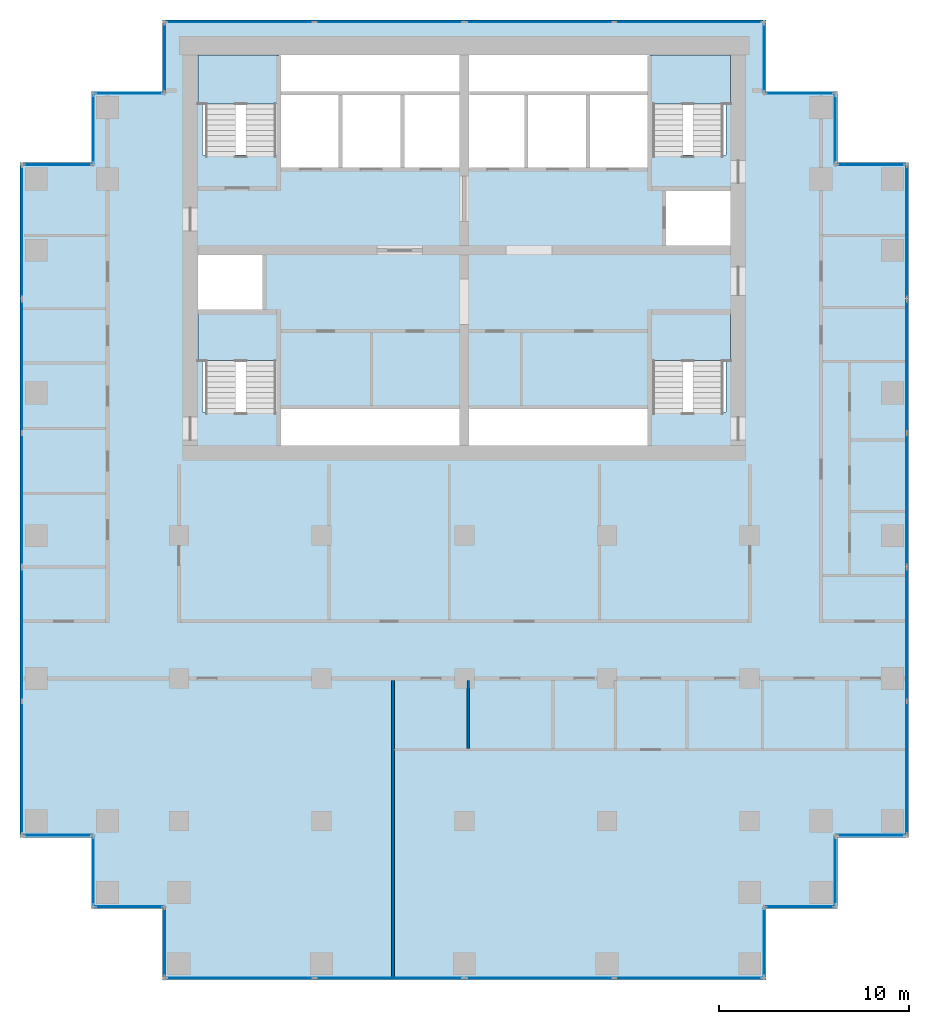
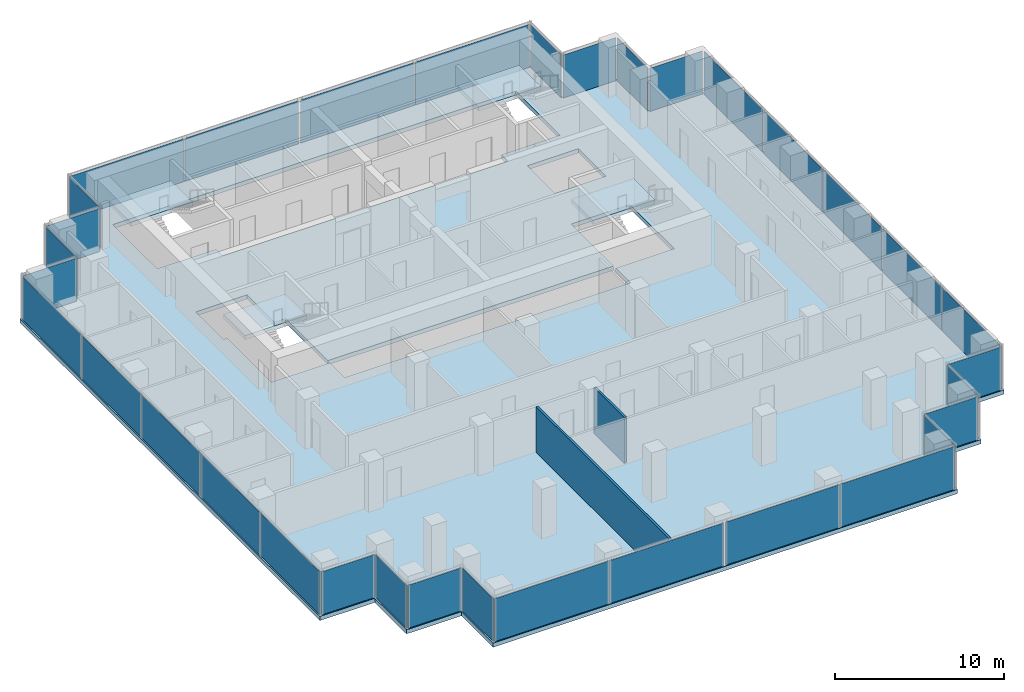
# One storey, part 6 of 10: 34 plates, 5 slabs, 2 walls, 30 elements without a shape of their own.
"""IFC4 building model written with IfcOpenShell, lengths in metres."""

from ifc_helpers import new_model, si_unit, direction, frame, frame_2d, origin, origin_2d, place, context, subcontext, project, spatial, polyline, rectangle, outline, extrude, material, layer, layer_set, type_object, element, aggregate, save


model = new_model("IFC4")

# Units and contexts
model_context = context("Model", 3, precision=1e-05, world=origin(), true_north=direction((0.0, 1.0)))
body_context = subcontext(model_context, "Body", "Model", "MODEL_VIEW")
ifc_project = project(units=[si_unit("LENGTHUNIT", "METRE"), si_unit("AREAUNIT", "SQUARE_METRE"), si_unit("VOLUMEUNIT", "CUBIC_METRE"), si_unit("PLANEANGLEUNIT", "RADIAN"), si_unit("MASSUNIT", "GRAM", prefix="KILO")], contexts=[model_context])

# Site, building, storey
site_placement = place(None, origin())
site = spatial("IfcSite", under=ifc_project, at=site_placement, CompositionType="ELEMENT")
building_placement = place(site_placement, origin())
building = spatial("IfcBuilding", under=site, at=building_placement, Name="Pilkhan Gate Tower", CompositionType="ELEMENT")
storey_placement = place(building_placement, frame((0.0, 0.0, 158.5)))
storey = spatial("IfcBuildingStorey", under=building, at=storey_placement, Name="L40", CompositionType="ELEMENT", Elevation=158.5)

# Slab
ifc_material_1 = material(Name="Concrete C40/50", Category="concrete")
ifc_layer_1 = layer(ifc_material_1, 0.300048828125)
ifc_layer_set_1 = layer_set([ifc_layer_1], Name="Flat plate slab FP300")
slab_type_1 = type_object("IfcSlabType", Name="Flat plate slab FP300", PredefinedType="FLOOR", material=ifc_layer_set_1)
slab_1_placement = place(storey_placement, frame((0.0, 0.0, -0.300048828125)))
element("IfcSlab", 1, at=slab_1_placement, inside=storey, type_object=slab_type_1, Name="Floor slab L40", PredefinedType="FLOOR", context=body_context, shape_type="SweptSolid", body=[
    extrude(outline(polyline([(94.60009765625, 47.89990234375), (90.85009765625, 47.89990234375), (90.85009765625, 44.14990234375), (59.14990234375, 44.14990234375), (59.14990234375, 47.89990234375), (55.39990234375, 47.89990234375), (55.39990234375, 51.64990234375), (51.64990234375, 51.64990234375), (51.64990234375, 87.10009765625), (55.39990234375, 87.10009765625), (55.39990234375, 90.85009765625), (59.14990234375, 90.85009765625), (59.14990234375, 94.60009765625), (90.85009765625, 94.60009765625), (90.85009765625, 90.85009765625), (94.60009765625, 90.85009765625), (94.60009765625, 87.10009765625), (98.35009765625, 87.10009765625), (98.35009765625, 51.64990234375), (94.60009765625, 51.64990234375), (94.60009765625, 47.89990234375)]), holes=[polyline([(75.0, 72.25), (84.75, 72.25), (84.75, 74.0), (88.75, 74.0), (88.75, 79.25), (84.75, 79.25), (84.75, 74.25), (75.0, 74.25), (65.25, 74.25), (65.25, 79.25), (64.5, 79.25), (64.5, 82.5), (61.25, 82.5), (61.0, 82.5), (61.0, 79.25), (61.25, 79.25), (61.25, 74.0), (65.25, 74.0), (65.25, 72.25), (75.0, 72.25)]), polyline([(68.5, 86.75), (71.75, 86.75), (75.0, 86.75), (78.25, 86.75), (81.5, 86.75), (84.75, 86.75), (84.75, 87.5), (88.75, 87.5), (88.75, 92.75), (84.75, 92.75), (75.0, 92.75), (65.25, 92.75), (61.25, 92.75), (61.25, 87.5), (65.25, 87.5), (65.25, 86.75), (68.5, 86.75)]), polyline([(85.5, 85.75), (85.5, 82.5), (88.75, 82.5), (89.0, 82.5), (89.0, 85.75), (88.75, 85.75), (85.5, 85.75)])]), origin(), (0.0, 0.0, 1.0), 0.300048828125),
])

# Curtain wall, plates
ifc_material_2 = material(Name="Pale anodised aluminium, clear low-iron double glazing", Category="aluminium")
curtain_wall_type = type_object("IfcCurtainWallType", Name="Office unitised curtain wall CW-O1", PredefinedType="USERDEFINED", material=ifc_material_2)
curtain_wall_1_placement = place(storey_placement, origin())
curtain_wall_1 = element("IfcCurtainWall", 2, at=curtain_wall_1_placement, inside=storey, type_object=curtain_wall_type, Name="Office unitised curtain wall CW-O1 L40 E", ObjectType="UNITISED CURTAIN WALL", PredefinedType="USERDEFINED")
ifc_material_3 = material(Name="Clear low-iron double glazing", Category="glass")
ifc_layer_2 = layer(ifc_material_3, 0.0400390625)
ifc_layer_set_2 = layer_set([ifc_layer_2], Name="Glass panel CW-O1 40")
plate_type = type_object("IfcPlateType", Name="Glass panel CW-O1 40", PredefinedType="CURTAIN_PANEL", material=ifc_layer_set_2)
plate_1_placement = place(storey_placement, frame((98.25, 55.29248046875, 0.0), z_axis=(0.0, 0.0, 1.0), x_axis=(0.0, 1.0, 0.0)))
plate_1 = element("IfcPlate", 3, at=plate_1_placement, type_object=plate_type, Name="CW-O1 panel 1", PredefinedType="CURTAIN_PANEL", context=body_context, shape_type="SweptSolid", body=[
    extrude(rectangle(XDim=6.945068359375, YDim=0.0400390625, at=origin_2d()), origin(), (0.0, 0.0, 1.0), 3.10009765625),
])
plate_2_placement = place(storey_placement, frame((98.25, 62.3076171875, 0.0), z_axis=(0.0, 0.0, 1.0), x_axis=(0.0, 1.0, 0.0)))
plate_2 = element("IfcPlate", 4, at=plate_2_placement, type_object=plate_type, Name="CW-O1 panel 2", PredefinedType="CURTAIN_PANEL", context=body_context, shape_type="SweptSolid", body=[
    extrude(rectangle(XDim=6.945068359375, YDim=0.0400390625, at=origin_2d()), origin(), (0.0, 0.0, 1.0), 3.10009765625),
])
aggregate(curtain_wall_1, [plate_1, plate_2])

curtain_wall_2_placement = place(storey_placement, origin())
curtain_wall_2 = element("IfcCurtainWall", 5, at=curtain_wall_2_placement, inside=storey, type_object=curtain_wall_type, Name="Office unitised curtain wall CW-O1 L40 E", ObjectType="UNITISED CURTAIN WALL", PredefinedType="USERDEFINED")
plate_3_placement = place(storey_placement, frame((98.25, 69.392578125, 0.0), z_axis=(0.0, 0.0, 1.0), x_axis=(0.0, 1.0, 0.0)))
plate_3 = element("IfcPlate", 6, at=plate_3_placement, type_object=plate_type, Name="CW-O1 panel 1", PredefinedType="CURTAIN_PANEL", context=body_context, shape_type="SweptSolid", body=[
    extrude(rectangle(XDim=6.945068359375, YDim=0.0400390625, at=origin_2d()), origin(), (0.0, 0.0, 1.0), 3.10009765625),
])
plate_4_placement = place(storey_placement, frame((98.25, 76.407470703125, 0.0), z_axis=(0.0, 0.0, 1.0), x_axis=(0.0, 1.0, 0.0)))
plate_4 = element("IfcPlate", 7, at=plate_4_placement, type_object=plate_type, Name="CW-O1 panel 2", PredefinedType="CURTAIN_PANEL", context=body_context, shape_type="SweptSolid", body=[
    extrude(rectangle(XDim=6.945068359375, YDim=0.0400390625, at=origin_2d()), origin(), (0.0, 0.0, 1.0), 3.10009765625),
])
aggregate(curtain_wall_2, [plate_3, plate_4])

# Curtain wall, plate
curtain_wall_3_placement = place(storey_placement, origin())
curtain_wall_3 = element("IfcCurtainWall", 8, at=curtain_wall_3_placement, inside=storey, type_object=curtain_wall_type, Name="Office unitised curtain wall CW-O1 L40 E", ObjectType="UNITISED CURTAIN WALL", PredefinedType="USERDEFINED")
plate_5_placement = place(storey_placement, frame((98.25, 83.47509765625, 0.0), z_axis=(0.0, 0.0, 1.0), x_axis=(0.0, 1.0, 0.0)))
plate_5 = element("IfcPlate", 9, at=plate_5_placement, type_object=plate_type, Name="CW-O1 panel 1", PredefinedType="CURTAIN_PANEL", context=body_context, shape_type="SweptSolid", body=[
    extrude(rectangle(XDim=6.909912109375, YDim=0.0400390625, at=origin_2d()), origin(), (0.0, 0.0, 1.0), 3.10009765625),
])
aggregate(curtain_wall_3, [plate_5])

curtain_wall_4_placement = place(storey_placement, origin())
curtain_wall_4 = element("IfcCurtainWall", 10, at=curtain_wall_4_placement, inside=storey, type_object=curtain_wall_type, Name="Office unitised curtain wall CW-O1 L40 N", ObjectType="UNITISED CURTAIN WALL", PredefinedType="USERDEFINED")
plate_6_placement = place(storey_placement, frame((96.375, 87.0, 0.0), z_axis=(0.0, 0.0, 1.0), x_axis=(1.0, 0.0, 0.0)))
plate_6 = element("IfcPlate", 11, at=plate_6_placement, type_object=plate_type, Name="CW-O1 panel 1", PredefinedType="CURTAIN_PANEL", context=body_context, shape_type="SweptSolid", body=[
    extrude(rectangle(XDim=3.610107421875, YDim=0.0400390625, at=origin_2d()), origin(), (0.0, 0.0, 1.0), 3.10009765625),
])
aggregate(curtain_wall_4, [plate_6])

curtain_wall_5_placement = place(storey_placement, origin())
curtain_wall_5 = element("IfcCurtainWall", 12, at=curtain_wall_5_placement, inside=storey, type_object=curtain_wall_type, Name="Office unitised curtain wall CW-O1 L40 E", ObjectType="UNITISED CURTAIN WALL", PredefinedType="USERDEFINED")
plate_7_placement = place(storey_placement, frame((94.5, 88.875, 0.0), z_axis=(0.0, 0.0, 1.0), x_axis=(0.0, 1.0, 0.0)))
plate_7 = element("IfcPlate", 13, at=plate_7_placement, type_object=plate_type, Name="CW-O1 panel 1", PredefinedType="CURTAIN_PANEL", context=body_context, shape_type="SweptSolid", body=[
    extrude(rectangle(XDim=3.610107421875, YDim=0.0400390625, at=origin_2d()), origin(), (0.0, 0.0, 1.0), 3.10009765625),
])
aggregate(curtain_wall_5, [plate_7])

curtain_wall_6_placement = place(storey_placement, origin())
curtain_wall_6 = element("IfcCurtainWall", 14, at=curtain_wall_6_placement, inside=storey, type_object=curtain_wall_type, Name="Office unitised curtain wall CW-O1 L40 N", ObjectType="UNITISED CURTAIN WALL", PredefinedType="USERDEFINED")
plate_8_placement = place(storey_placement, frame((92.625, 90.75, 0.0), z_axis=(0.0, 0.0, 1.0), x_axis=(1.0, 0.0, 0.0)))
plate_8 = element("IfcPlate", 15, at=plate_8_placement, type_object=plate_type, Name="CW-O1 panel 1", PredefinedType="CURTAIN_PANEL", context=body_context, shape_type="SweptSolid", body=[
    extrude(rectangle(XDim=3.610107421875, YDim=0.0400390625, at=origin_2d()), origin(), (0.0, 0.0, 1.0), 3.10009765625),
])
aggregate(curtain_wall_6, [plate_8])

curtain_wall_7_placement = place(storey_placement, origin())
curtain_wall_7 = element("IfcCurtainWall", 16, at=curtain_wall_7_placement, inside=storey, type_object=curtain_wall_type, Name="Office unitised curtain wall CW-O1 L40 E", ObjectType="UNITISED CURTAIN WALL", PredefinedType="USERDEFINED")
plate_9_placement = place(storey_placement, frame((90.75, 92.625, 0.0), z_axis=(0.0, 0.0, 1.0), x_axis=(0.0, 1.0, 0.0)))
plate_9 = element("IfcPlate", 17, at=plate_9_placement, type_object=plate_type, Name="CW-O1 panel 1", PredefinedType="CURTAIN_PANEL", context=body_context, shape_type="SweptSolid", body=[
    extrude(rectangle(XDim=3.610107421875, YDim=0.0400390625, at=origin_2d()), origin(), (0.0, 0.0, 1.0), 3.10009765625),
])
aggregate(curtain_wall_7, [plate_9])

# Curtain wall, plates
curtain_wall_8_placement = place(storey_placement, origin())
curtain_wall_8 = element("IfcCurtainWall", 18, at=curtain_wall_8_placement, inside=storey, type_object=curtain_wall_type, Name="Office unitised curtain wall CW-O1 L40 N", ObjectType="UNITISED CURTAIN WALL", PredefinedType="USERDEFINED")
plate_10_placement = place(storey_placement, frame((63.205078125, 94.5, 0.0), z_axis=(0.0, 0.0, 1.0), x_axis=(1.0, 0.0, 0.0)))
plate_10 = element("IfcPlate", 19, at=plate_10_placement, type_object=plate_type, Name="CW-O1 panel 1", PredefinedType="CURTAIN_PANEL", context=body_context, shape_type="SweptSolid", body=[
    extrude(rectangle(XDim=7.77001953125, YDim=0.0400390625, at=origin_2d()), origin(), (0.0, 0.0, 1.0), 3.10009765625),
])
plate_11_placement = place(storey_placement, frame((71.044921875, 94.5, 0.0), z_axis=(0.0, 0.0, 1.0), x_axis=(1.0, 0.0, 0.0)))
plate_11 = element("IfcPlate", 20, at=plate_11_placement, type_object=plate_type, Name="CW-O1 panel 2", PredefinedType="CURTAIN_PANEL", context=body_context, shape_type="SweptSolid", body=[
    extrude(rectangle(XDim=7.77001953125, YDim=0.0400390625, at=origin_2d()), origin(), (0.0, 0.0, 1.0), 3.10009765625),
])
aggregate(curtain_wall_8, [plate_10, plate_11])

curtain_wall_9_placement = place(storey_placement, origin())
curtain_wall_9 = element("IfcCurtainWall", 21, at=curtain_wall_9_placement, inside=storey, type_object=curtain_wall_type, Name="Office unitised curtain wall CW-O1 L40 N", ObjectType="UNITISED CURTAIN WALL", PredefinedType="USERDEFINED")
plate_12_placement = place(storey_placement, frame((78.955078125, 94.5, 0.0), z_axis=(0.0, 0.0, 1.0), x_axis=(1.0, 0.0, 0.0)))
plate_12 = element("IfcPlate", 22, at=plate_12_placement, type_object=plate_type, Name="CW-O1 panel 1", PredefinedType="CURTAIN_PANEL", context=body_context, shape_type="SweptSolid", body=[
    extrude(rectangle(XDim=7.77001953125, YDim=0.0400390625, at=origin_2d()), origin(), (0.0, 0.0, 1.0), 3.10009765625),
])
plate_13_placement = place(storey_placement, frame((86.794921875, 94.5, 0.0), z_axis=(0.0, 0.0, 1.0), x_axis=(1.0, 0.0, 0.0)))
plate_13 = element("IfcPlate", 23, at=plate_13_placement, type_object=plate_type, Name="CW-O1 panel 2", PredefinedType="CURTAIN_PANEL", context=body_context, shape_type="SweptSolid", body=[
    extrude(rectangle(XDim=7.77001953125, YDim=0.0400390625, at=origin_2d()), origin(), (0.0, 0.0, 1.0), 3.10009765625),
])
aggregate(curtain_wall_9, [plate_12, plate_13])

# Curtain wall, plate
curtain_wall_10_placement = place(storey_placement, origin())
curtain_wall_10 = element("IfcCurtainWall", 24, at=curtain_wall_10_placement, inside=storey, type_object=curtain_wall_type, Name="Office unitised curtain wall CW-O1 L40 W", ObjectType="UNITISED CURTAIN WALL", PredefinedType="USERDEFINED")
plate_14_placement = place(storey_placement, frame((59.25, 92.625, 0.0), z_axis=(0.0, 0.0, 1.0), x_axis=(0.0, 1.0, 0.0)))
plate_14 = element("IfcPlate", 25, at=plate_14_placement, type_object=plate_type, Name="CW-O1 panel 1", PredefinedType="CURTAIN_PANEL", context=body_context, shape_type="SweptSolid", body=[
    extrude(rectangle(XDim=3.610107421875, YDim=0.0400390625, at=origin_2d()), origin(), (0.0, 0.0, 1.0), 3.10009765625),
])
aggregate(curtain_wall_10, [plate_14])

curtain_wall_11_placement = place(storey_placement, origin())
curtain_wall_11 = element("IfcCurtainWall", 26, at=curtain_wall_11_placement, inside=storey, type_object=curtain_wall_type, Name="Office unitised curtain wall CW-O1 L40 N", ObjectType="UNITISED CURTAIN WALL", PredefinedType="USERDEFINED")
plate_15_placement = place(storey_placement, frame((57.375, 90.75, 0.0), z_axis=(0.0, 0.0, 1.0), x_axis=(1.0, 0.0, 0.0)))
plate_15 = element("IfcPlate", 27, at=plate_15_placement, type_object=plate_type, Name="CW-O1 panel 1", PredefinedType="CURTAIN_PANEL", context=body_context, shape_type="SweptSolid", body=[
    extrude(rectangle(XDim=3.610107421875, YDim=0.0400390625, at=origin_2d()), origin(), (0.0, 0.0, 1.0), 3.10009765625),
])
aggregate(curtain_wall_11, [plate_15])

curtain_wall_12_placement = place(storey_placement, origin())
curtain_wall_12 = element("IfcCurtainWall", 28, at=curtain_wall_12_placement, inside=storey, type_object=curtain_wall_type, Name="Office unitised curtain wall CW-O1 L40 W", ObjectType="UNITISED CURTAIN WALL", PredefinedType="USERDEFINED")
plate_16_placement = place(storey_placement, frame((55.5, 88.875, 0.0), z_axis=(0.0, 0.0, 1.0), x_axis=(0.0, 1.0, 0.0)))
plate_16 = element("IfcPlate", 29, at=plate_16_placement, type_object=plate_type, Name="CW-O1 panel 1", PredefinedType="CURTAIN_PANEL", context=body_context, shape_type="SweptSolid", body=[
    extrude(rectangle(XDim=3.610107421875, YDim=0.0400390625, at=origin_2d()), origin(), (0.0, 0.0, 1.0), 3.10009765625),
])
aggregate(curtain_wall_12, [plate_16])

curtain_wall_13_placement = place(storey_placement, origin())
curtain_wall_13 = element("IfcCurtainWall", 30, at=curtain_wall_13_placement, inside=storey, type_object=curtain_wall_type, Name="Office unitised curtain wall CW-O1 L40 N", ObjectType="UNITISED CURTAIN WALL", PredefinedType="USERDEFINED")
plate_17_placement = place(storey_placement, frame((53.625, 87.0, 0.0), z_axis=(0.0, 0.0, 1.0), x_axis=(1.0, 0.0, 0.0)))
plate_17 = element("IfcPlate", 31, at=plate_17_placement, type_object=plate_type, Name="CW-O1 panel 1", PredefinedType="CURTAIN_PANEL", context=body_context, shape_type="SweptSolid", body=[
    extrude(rectangle(XDim=3.610107421875, YDim=0.0400390625, at=origin_2d()), origin(), (0.0, 0.0, 1.0), 3.10009765625),
])
aggregate(curtain_wall_13, [plate_17])

# Curtain wall, plates
curtain_wall_14_placement = place(storey_placement, origin())
curtain_wall_14 = element("IfcCurtainWall", 32, at=curtain_wall_14_placement, inside=storey, type_object=curtain_wall_type, Name="Office unitised curtain wall CW-O1 L40 W", ObjectType="UNITISED CURTAIN WALL", PredefinedType="USERDEFINED")
plate_18_placement = place(storey_placement, frame((51.75, 55.29248046875, 0.0), z_axis=(0.0, 0.0, 1.0), x_axis=(0.0, 1.0, 0.0)))
plate_18 = element("IfcPlate", 33, at=plate_18_placement, type_object=plate_type, Name="CW-O1 panel 1", PredefinedType="CURTAIN_PANEL", context=body_context, shape_type="SweptSolid", body=[
    extrude(rectangle(XDim=6.945068359375, YDim=0.0400390625, at=origin_2d()), origin(), (0.0, 0.0, 1.0), 3.10009765625),
])
plate_19_placement = place(storey_placement, frame((51.75, 62.3076171875, 0.0), z_axis=(0.0, 0.0, 1.0), x_axis=(0.0, 1.0, 0.0)))
plate_19 = element("IfcPlate", 34, at=plate_19_placement, type_object=plate_type, Name="CW-O1 panel 2", PredefinedType="CURTAIN_PANEL", context=body_context, shape_type="SweptSolid", body=[
    extrude(rectangle(XDim=6.945068359375, YDim=0.0400390625, at=origin_2d()), origin(), (0.0, 0.0, 1.0), 3.10009765625),
])
aggregate(curtain_wall_14, [plate_18, plate_19])

curtain_wall_15_placement = place(storey_placement, origin())
curtain_wall_15 = element("IfcCurtainWall", 35, at=curtain_wall_15_placement, inside=storey, type_object=curtain_wall_type, Name="Office unitised curtain wall CW-O1 L40 W", ObjectType="UNITISED CURTAIN WALL", PredefinedType="USERDEFINED")
plate_20_placement = place(storey_placement, frame((51.75, 69.392578125, 0.0), z_axis=(0.0, 0.0, 1.0), x_axis=(0.0, 1.0, 0.0)))
plate_20 = element("IfcPlate", 36, at=plate_20_placement, type_object=plate_type, Name="CW-O1 panel 1", PredefinedType="CURTAIN_PANEL", context=body_context, shape_type="SweptSolid", body=[
    extrude(rectangle(XDim=6.945068359375, YDim=0.0400390625, at=origin_2d()), origin(), (0.0, 0.0, 1.0), 3.10009765625),
])
plate_21_placement = place(storey_placement, frame((51.75, 76.407470703125, 0.0), z_axis=(0.0, 0.0, 1.0), x_axis=(0.0, 1.0, 0.0)))
plate_21 = element("IfcPlate", 37, at=plate_21_placement, type_object=plate_type, Name="CW-O1 panel 2", PredefinedType="CURTAIN_PANEL", context=body_context, shape_type="SweptSolid", body=[
    extrude(rectangle(XDim=6.945068359375, YDim=0.0400390625, at=origin_2d()), origin(), (0.0, 0.0, 1.0), 3.10009765625),
])
aggregate(curtain_wall_15, [plate_20, plate_21])

# Curtain wall, plate
curtain_wall_16_placement = place(storey_placement, origin())
curtain_wall_16 = element("IfcCurtainWall", 38, at=curtain_wall_16_placement, inside=storey, type_object=curtain_wall_type, Name="Office unitised curtain wall CW-O1 L40 W", ObjectType="UNITISED CURTAIN WALL", PredefinedType="USERDEFINED")
plate_22_placement = place(storey_placement, frame((51.75, 83.47509765625, 0.0), z_axis=(0.0, 0.0, 1.0), x_axis=(0.0, 1.0, 0.0)))
plate_22 = element("IfcPlate", 39, at=plate_22_placement, type_object=plate_type, Name="CW-O1 panel 1", PredefinedType="CURTAIN_PANEL", context=body_context, shape_type="SweptSolid", body=[
    extrude(rectangle(XDim=6.909912109375, YDim=0.0400390625, at=origin_2d()), origin(), (0.0, 0.0, 1.0), 3.10009765625),
])
aggregate(curtain_wall_16, [plate_22])

curtain_wall_17_placement = place(storey_placement, origin())
curtain_wall_17 = element("IfcCurtainWall", 40, at=curtain_wall_17_placement, inside=storey, type_object=curtain_wall_type, Name="Office unitised curtain wall CW-O1 L40 S", ObjectType="UNITISED CURTAIN WALL", PredefinedType="USERDEFINED")
plate_23_placement = place(storey_placement, frame((53.625, 51.75, 0.0), z_axis=(0.0, 0.0, 1.0), x_axis=(1.0, 0.0, 0.0)))
plate_23 = element("IfcPlate", 41, at=plate_23_placement, type_object=plate_type, Name="CW-O1 panel 1", PredefinedType="CURTAIN_PANEL", context=body_context, shape_type="SweptSolid", body=[
    extrude(rectangle(XDim=3.610107421875, YDim=0.0400390625, at=origin_2d()), origin(), (0.0, 0.0, 1.0), 3.10009765625),
])
aggregate(curtain_wall_17, [plate_23])

curtain_wall_18_placement = place(storey_placement, origin())
curtain_wall_18 = element("IfcCurtainWall", 42, at=curtain_wall_18_placement, inside=storey, type_object=curtain_wall_type, Name="Office unitised curtain wall CW-O1 L40 W", ObjectType="UNITISED CURTAIN WALL", PredefinedType="USERDEFINED")
plate_24_placement = place(storey_placement, frame((55.5, 49.875, 0.0), z_axis=(0.0, 0.0, 1.0), x_axis=(0.0, 1.0, 0.0)))
plate_24 = element("IfcPlate", 43, at=plate_24_placement, type_object=plate_type, Name="CW-O1 panel 1", PredefinedType="CURTAIN_PANEL", context=body_context, shape_type="SweptSolid", body=[
    extrude(rectangle(XDim=3.610107421875, YDim=0.0400390625, at=origin_2d()), origin(), (0.0, 0.0, 1.0), 3.10009765625),
])
aggregate(curtain_wall_18, [plate_24])

curtain_wall_19_placement = place(storey_placement, origin())
curtain_wall_19 = element("IfcCurtainWall", 44, at=curtain_wall_19_placement, inside=storey, type_object=curtain_wall_type, Name="Office unitised curtain wall CW-O1 L40 S", ObjectType="UNITISED CURTAIN WALL", PredefinedType="USERDEFINED")
plate_25_placement = place(storey_placement, frame((57.375, 48.0, 0.0), z_axis=(0.0, 0.0, 1.0), x_axis=(1.0, 0.0, 0.0)))
plate_25 = element("IfcPlate", 45, at=plate_25_placement, type_object=plate_type, Name="CW-O1 panel 1", PredefinedType="CURTAIN_PANEL", context=body_context, shape_type="SweptSolid", body=[
    extrude(rectangle(XDim=3.610107421875, YDim=0.0400390625, at=origin_2d()), origin(), (0.0, 0.0, 1.0), 3.10009765625),
])
aggregate(curtain_wall_19, [plate_25])

curtain_wall_20_placement = place(storey_placement, origin())
curtain_wall_20 = element("IfcCurtainWall", 46, at=curtain_wall_20_placement, inside=storey, type_object=curtain_wall_type, Name="Office unitised curtain wall CW-O1 L40 W", ObjectType="UNITISED CURTAIN WALL", PredefinedType="USERDEFINED")
plate_26_placement = place(storey_placement, frame((59.25, 46.125, 0.0), z_axis=(0.0, 0.0, 1.0), x_axis=(0.0, 1.0, 0.0)))
plate_26 = element("IfcPlate", 47, at=plate_26_placement, type_object=plate_type, Name="CW-O1 panel 1", PredefinedType="CURTAIN_PANEL", context=body_context, shape_type="SweptSolid", body=[
    extrude(rectangle(XDim=3.610107421875, YDim=0.0400390625, at=origin_2d()), origin(), (0.0, 0.0, 1.0), 3.10009765625),
])
aggregate(curtain_wall_20, [plate_26])

# Curtain wall, plates
curtain_wall_21_placement = place(storey_placement, origin())
curtain_wall_21 = element("IfcCurtainWall", 48, at=curtain_wall_21_placement, inside=storey, type_object=curtain_wall_type, Name="Office unitised curtain wall CW-O1 L40 S", ObjectType="UNITISED CURTAIN WALL", PredefinedType="USERDEFINED")
plate_27_placement = place(storey_placement, frame((63.205078125, 44.25, 0.0), z_axis=(0.0, 0.0, 1.0), x_axis=(1.0, 0.0, 0.0)))
plate_27 = element("IfcPlate", 49, at=plate_27_placement, type_object=plate_type, Name="CW-O1 panel 1", PredefinedType="CURTAIN_PANEL", context=body_context, shape_type="SweptSolid", body=[
    extrude(rectangle(XDim=7.77001953125, YDim=0.0400390625, at=origin_2d()), origin(), (0.0, 0.0, 1.0), 3.10009765625),
])
plate_28_placement = place(storey_placement, frame((71.044921875, 44.25, 0.0), z_axis=(0.0, 0.0, 1.0), x_axis=(1.0, 0.0, 0.0)))
plate_28 = element("IfcPlate", 50, at=plate_28_placement, type_object=plate_type, Name="CW-O1 panel 2", PredefinedType="CURTAIN_PANEL", context=body_context, shape_type="SweptSolid", body=[
    extrude(rectangle(XDim=7.77001953125, YDim=0.0400390625, at=origin_2d()), origin(), (0.0, 0.0, 1.0), 3.10009765625),
])
aggregate(curtain_wall_21, [plate_27, plate_28])

curtain_wall_22_placement = place(storey_placement, origin())
curtain_wall_22 = element("IfcCurtainWall", 51, at=curtain_wall_22_placement, inside=storey, type_object=curtain_wall_type, Name="Office unitised curtain wall CW-O1 L40 S", ObjectType="UNITISED CURTAIN WALL", PredefinedType="USERDEFINED")
plate_29_placement = place(storey_placement, frame((78.955078125, 44.25, 0.0), z_axis=(0.0, 0.0, 1.0), x_axis=(1.0, 0.0, 0.0)))
plate_29 = element("IfcPlate", 52, at=plate_29_placement, type_object=plate_type, Name="CW-O1 panel 1", PredefinedType="CURTAIN_PANEL", context=body_context, shape_type="SweptSolid", body=[
    extrude(rectangle(XDim=7.77001953125, YDim=0.0400390625, at=origin_2d()), origin(), (0.0, 0.0, 1.0), 3.10009765625),
])
plate_30_placement = place(storey_placement, frame((86.794921875, 44.25, 0.0), z_axis=(0.0, 0.0, 1.0), x_axis=(1.0, 0.0, 0.0)))
plate_30 = element("IfcPlate", 53, at=plate_30_placement, type_object=plate_type, Name="CW-O1 panel 2", PredefinedType="CURTAIN_PANEL", context=body_context, shape_type="SweptSolid", body=[
    extrude(rectangle(XDim=7.77001953125, YDim=0.0400390625, at=origin_2d()), origin(), (0.0, 0.0, 1.0), 3.10009765625),
])
aggregate(curtain_wall_22, [plate_29, plate_30])

# Curtain wall, plate
curtain_wall_23_placement = place(storey_placement, origin())
curtain_wall_23 = element("IfcCurtainWall", 54, at=curtain_wall_23_placement, inside=storey, type_object=curtain_wall_type, Name="Office unitised curtain wall CW-O1 L40 E", ObjectType="UNITISED CURTAIN WALL", PredefinedType="USERDEFINED")
plate_31_placement = place(storey_placement, frame((90.75, 46.125, 0.0), z_axis=(0.0, 0.0, 1.0), x_axis=(0.0, 1.0, 0.0)))
plate_31 = element("IfcPlate", 55, at=plate_31_placement, type_object=plate_type, Name="CW-O1 panel 1", PredefinedType="CURTAIN_PANEL", context=body_context, shape_type="SweptSolid", body=[
    extrude(rectangle(XDim=3.610107421875, YDim=0.0400390625, at=origin_2d()), origin(), (0.0, 0.0, 1.0), 3.10009765625),
])
aggregate(curtain_wall_23, [plate_31])

curtain_wall_24_placement = place(storey_placement, origin())
curtain_wall_24 = element("IfcCurtainWall", 56, at=curtain_wall_24_placement, inside=storey, type_object=curtain_wall_type, Name="Office unitised curtain wall CW-O1 L40 S", ObjectType="UNITISED CURTAIN WALL", PredefinedType="USERDEFINED")
plate_32_placement = place(storey_placement, frame((92.625, 48.0, 0.0), z_axis=(0.0, 0.0, 1.0), x_axis=(1.0, 0.0, 0.0)))
plate_32 = element("IfcPlate", 57, at=plate_32_placement, type_object=plate_type, Name="CW-O1 panel 1", PredefinedType="CURTAIN_PANEL", context=body_context, shape_type="SweptSolid", body=[
    extrude(rectangle(XDim=3.610107421875, YDim=0.0400390625, at=origin_2d()), origin(), (0.0, 0.0, 1.0), 3.10009765625),
])
aggregate(curtain_wall_24, [plate_32])

curtain_wall_25_placement = place(storey_placement, origin())
curtain_wall_25 = element("IfcCurtainWall", 58, at=curtain_wall_25_placement, inside=storey, type_object=curtain_wall_type, Name="Office unitised curtain wall CW-O1 L40 E", ObjectType="UNITISED CURTAIN WALL", PredefinedType="USERDEFINED")
plate_33_placement = place(storey_placement, frame((94.5, 49.875, 0.0), z_axis=(0.0, 0.0, 1.0), x_axis=(0.0, 1.0, 0.0)))
plate_33 = element("IfcPlate", 59, at=plate_33_placement, type_object=plate_type, Name="CW-O1 panel 1", PredefinedType="CURTAIN_PANEL", context=body_context, shape_type="SweptSolid", body=[
    extrude(rectangle(XDim=3.610107421875, YDim=0.0400390625, at=origin_2d()), origin(), (0.0, 0.0, 1.0), 3.10009765625),
])
aggregate(curtain_wall_25, [plate_33])

curtain_wall_26_placement = place(storey_placement, origin())
curtain_wall_26 = element("IfcCurtainWall", 60, at=curtain_wall_26_placement, inside=storey, type_object=curtain_wall_type, Name="Office unitised curtain wall CW-O1 L40 S", ObjectType="UNITISED CURTAIN WALL", PredefinedType="USERDEFINED")
plate_34_placement = place(storey_placement, frame((96.375, 51.75, 0.0), z_axis=(0.0, 0.0, 1.0), x_axis=(1.0, 0.0, 0.0)))
plate_34 = element("IfcPlate", 61, at=plate_34_placement, type_object=plate_type, Name="CW-O1 panel 1", PredefinedType="CURTAIN_PANEL", context=body_context, shape_type="SweptSolid", body=[
    extrude(rectangle(XDim=3.610107421875, YDim=0.0400390625, at=origin_2d()), origin(), (0.0, 0.0, 1.0), 3.10009765625),
])
aggregate(curtain_wall_26, [plate_34])

# Stair, slab
ifc_material_4 = material(Name="Concrete C40/50 precast", Category="concrete")
stair_type_1 = type_object("IfcStairType", Name="Stair ST1 164x280", PredefinedType="HALF_TURN_STAIR", material=ifc_material_4)
stair_1_placement = place(storey_placement, origin())
stair_1 = element("IfcStair", 62, at=stair_1_placement, inside=storey, type_object=stair_type_1, Name="Stair ST1 L40", PredefinedType="HALF_TURN_STAIR")
ifc_layer_3 = layer(ifc_material_1, 0.199951171875)
ifc_layer_set_3 = layer_set([ifc_layer_3], Name="Stair landing SL200")
slab_type_2 = type_object("IfcSlabType", Name="Stair landing SL200", PredefinedType="LANDING", material=ifc_layer_set_3)
slab_2_placement = place(storey_placement, frame((0.0, 0.0, 1.5)))
slab_2 = element("IfcSlab", 63, at=slab_2_placement, type_object=slab_type_2, Name="ST1 landing 1", PredefinedType="LANDING", context=body_context, shape_type="SweptSolid", body=[
    extrude(outline(polyline([(89.0, 76.699951171875), (89.0, 79.25), (84.75, 79.25), (84.75, 76.699951171875), (89.0, 76.699951171875)])), origin(), (0.0, 0.0, 1.0), 0.300048828125),
])
aggregate(stair_1, [slab_2])

stair_type_2 = type_object("IfcStairType", Name="Stair ST2 164x280", PredefinedType="HALF_TURN_STAIR", material=ifc_material_4)
stair_2_placement = place(storey_placement, origin())
stair_2 = element("IfcStair", 64, at=stair_2_placement, inside=storey, type_object=stair_type_2, Name="Stair ST2 L40", PredefinedType="HALF_TURN_STAIR")
slab_3_placement = place(storey_placement, frame((0.0, 0.0, 1.5)))
slab_3 = element("IfcSlab", 65, at=slab_3_placement, type_object=slab_type_2, Name="ST2 landing 1", PredefinedType="LANDING", context=body_context, shape_type="SweptSolid", body=[
    extrude(outline(polyline([(65.25, 76.699951171875), (65.25, 79.25), (61.0, 79.25), (61.0, 76.699951171875), (65.25, 76.699951171875)])), origin(), (0.0, 0.0, 1.0), 0.300048828125),
])
aggregate(stair_2, [slab_3])

stair_type_3 = type_object("IfcStairType", Name="Stair ST3 164x280", PredefinedType="HALF_TURN_STAIR", material=ifc_material_4)
stair_3_placement = place(storey_placement, origin())
stair_3 = element("IfcStair", 66, at=stair_3_placement, inside=storey, type_object=stair_type_3, Name="Stair ST3 L40", PredefinedType="HALF_TURN_STAIR")
slab_4_placement = place(storey_placement, frame((0.0, 0.0, 1.5)))
slab_4 = element("IfcSlab", 67, at=slab_4_placement, type_object=slab_type_2, Name="ST3 landing 1", PredefinedType="LANDING", context=body_context, shape_type="SweptSolid", body=[
    extrude(outline(polyline([(65.25, 90.199951171875), (65.25, 92.75), (61.0, 92.75), (61.0, 90.199951171875), (65.25, 90.199951171875)])), origin(), (0.0, 0.0, 1.0), 0.300048828125),
])
aggregate(stair_3, [slab_4])

stair_type_4 = type_object("IfcStairType", Name="Stair ST4 164x280", PredefinedType="HALF_TURN_STAIR", material=ifc_material_4)
stair_4_placement = place(storey_placement, origin())
stair_4 = element("IfcStair", 68, at=stair_4_placement, inside=storey, type_object=stair_type_4, Name="Stair ST4 L40", PredefinedType="HALF_TURN_STAIR")
slab_5_placement = place(storey_placement, frame((0.0, 0.0, 1.5)))
slab_5 = element("IfcSlab", 69, at=slab_5_placement, type_object=slab_type_2, Name="ST4 landing 1", PredefinedType="LANDING", context=body_context, shape_type="SweptSolid", body=[
    extrude(outline(polyline([(89.0, 90.199951171875), (89.0, 92.75), (84.75, 92.75), (84.75, 90.199951171875), (89.0, 90.199951171875)])), origin(), (0.0, 0.0, 1.0), 0.300048828125),
])
aggregate(stair_4, [slab_5])

# Walls
ifc_material_5 = material(Name="Blockwork partition, plastered both sides", Category="masonry")
ifc_layer_4 = layer(ifc_material_5, 0.14990234375)
ifc_layer_set_4 = layer_set([ifc_layer_4], Name="Partition PW150")
wall_type = type_object("IfcWallType", Name="Partition PW150", PredefinedType="PARTITIONING", material=ifc_layer_set_4)
wall_1_placement = place(storey_placement, frame((71.25, 44.235107421875, 0.0), z_axis=(0.0, 0.0, 1.0), x_axis=(0.0, 1.0, 0.0)))
element("IfcWall", 70, at=wall_1_placement, inside=storey, type_object=wall_type, Name="Partition L40", PredefinedType="PARTITIONING", context=body_context, shape_type="SweptSolid", body=[
    extrude(rectangle(XDim=15.664794921875, YDim=0.14990234375, at=frame_2d((7.83251953125, 0.0))), origin(), (0.0, 0.0, 1.0), 3.300048828125),
])
wall_2_placement = place(storey_placement, frame((75.205078125, 56.324951171875, 0.0), z_axis=(0.0, 0.0, 1.0), x_axis=(0.0, 1.0, 0.0)))
element("IfcWall", 71, at=wall_2_placement, inside=storey, type_object=wall_type, Name="Partition L40", PredefinedType="PARTITIONING", context=body_context, shape_type="SweptSolid", body=[
    extrude(rectangle(XDim=3.574951171875, YDim=0.14990234375, at=frame_2d((1.78759765625, 0.0))), origin(), (0.0, 0.0, 1.0), 3.300048828125),
])

save(model, "model.ifc")
